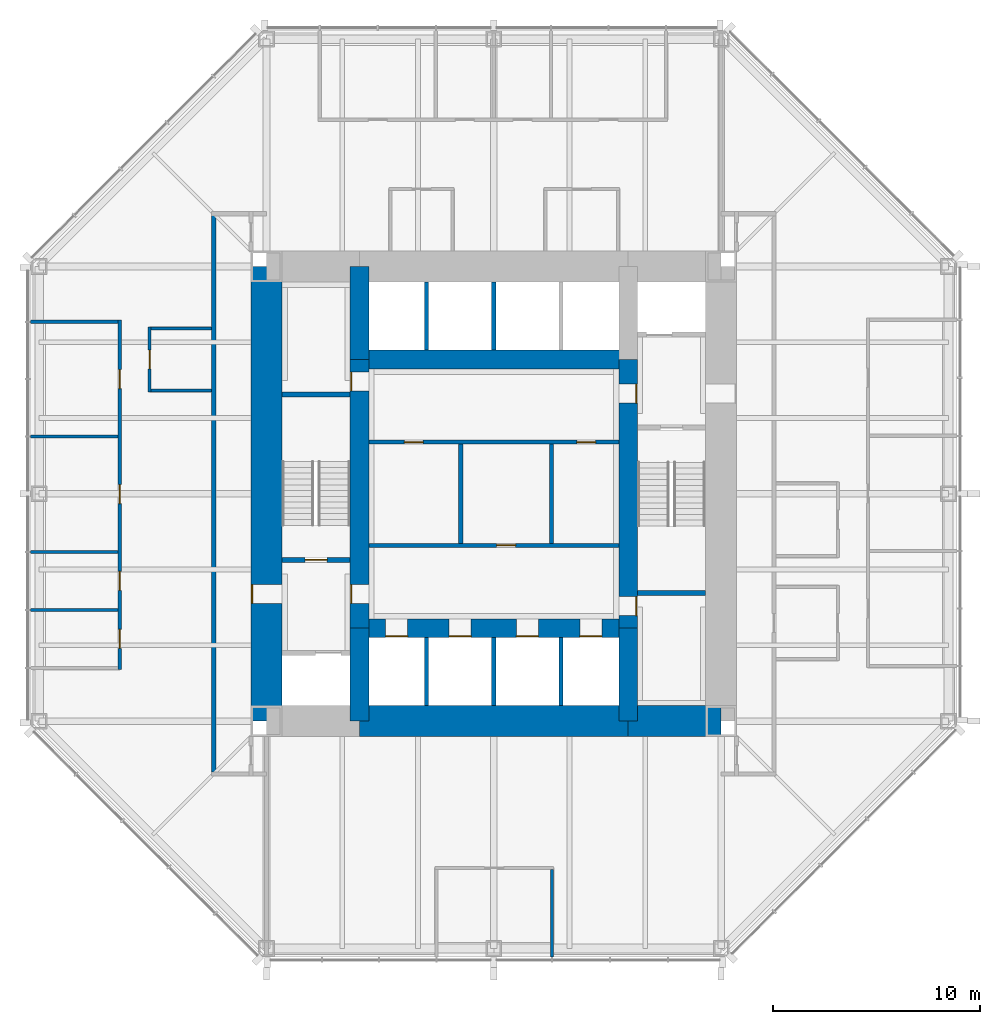
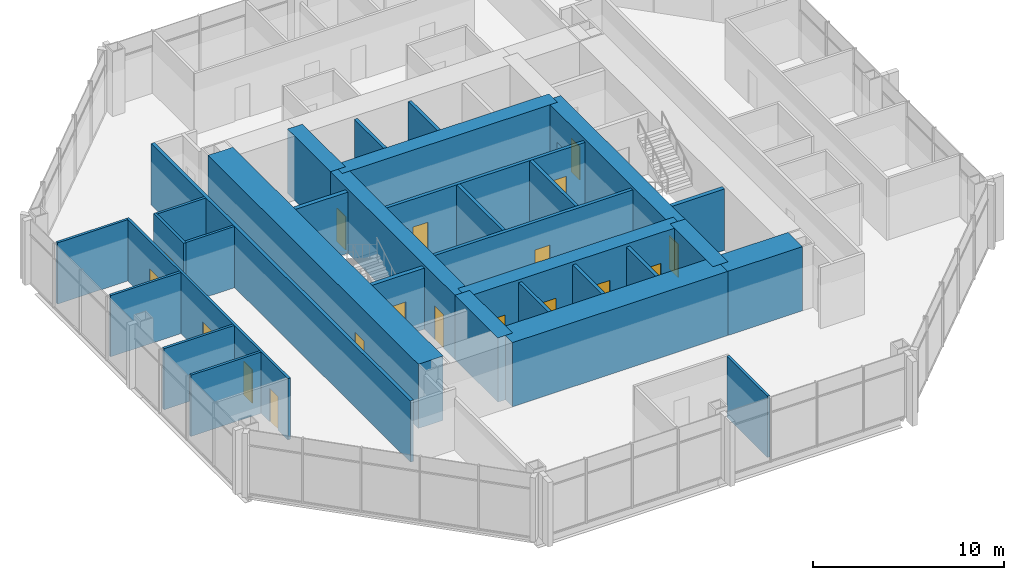
# One storey, part 9 of 12: 32 walls, 18 doors, 18 openings.
"""IFC4 building model written with IfcOpenShell, lengths in metres."""

from ifc_helpers import new_model, si_unit, direction, frame, frame_2d, origin, place, context, subcontext, project, spatial, rectangle, extrude, material, layer, layer_set, type_object, element, fill, save


model = new_model("IFC4")

# Units and contexts
model_context = context("Model", 3, precision=1e-05, world=origin(), true_north=direction((0.0, 1.0)))
body_context = subcontext(model_context, "Body", "Model", "MODEL_VIEW")
ifc_project = project(units=[si_unit("LENGTHUNIT", "METRE"), si_unit("AREAUNIT", "SQUARE_METRE"), si_unit("VOLUMEUNIT", "CUBIC_METRE"), si_unit("PLANEANGLEUNIT", "RADIAN"), si_unit("MASSUNIT", "GRAM", prefix="KILO")], contexts=[model_context])

# Site, building, storey
site_placement = place(None, origin())
site = spatial("IfcSite", under=ifc_project, at=site_placement, CompositionType="ELEMENT")
building_placement = place(site_placement, origin())
building = spatial("IfcBuilding", under=site, at=building_placement, Name="Trevanion Tower", CompositionType="ELEMENT")
storey_placement = place(building_placement, frame((0.0, 0.0, 133.60009765625)))
storey = spatial("IfcBuildingStorey", under=building, at=storey_placement, Name="L31", CompositionType="ELEMENT", Elevation=133.60009765625)

# Wall, opening, door
ifc_material_1 = material(Name="Concrete 10,000 psi", Category="concrete")
ifc_layer_1 = layer(ifc_material_1, 1.5)
ifc_layer_set_1 = layer_set([ifc_layer_1], Name="CW1 core wall 1500")
wall_type_1 = type_object("IfcWallType", Name="CW1 core wall 1500", PredefinedType="SHEAR", material=ifc_layer_set_1)
wall_1_placement = place(storey_placement, frame((-11.0, 11.0, 0.0), z_axis=(0.0, 0.0, 1.0), x_axis=(0.0, -1.0, 0.0)))
wall_1 = element("IfcWall", 1, at=wall_1_placement, inside=storey, type_object=wall_type_1, Name="CW1 CW L31", PredefinedType="SHEAR", context=body_context, shape_type="SweptSolid", body=[
    extrude(rectangle(XDim=22.0, YDim=1.5, at=frame_2d((11.0, 0.0))), origin(), (0.0, 0.0, 1.0), 4.099853515625),
])
opening_1_placement = place(wall_1_placement, frame((15.392578125, 0.0, 0.0)))
opening_1 = element("IfcOpeningElement", 2, at=opening_1_placement, cuts=wall_1, Name="Opening 31-002", PredefinedType="OPENING", context=body_context, shape_type="SweptSolid", body=[
    extrude(rectangle(XDim=0.9150390625, YDim=2.134033203125, at=frame_2d((0.45751953125, 1.06689453125))), frame((0.0, 0.760009765625, 0.0), z_axis=(0.0, -1.0, 0.0), x_axis=(1.0, 0.0, 0.0)), (0.0, 0.0, 1.0), 1.52001953125),
])
ifc_material_2 = material(Name="Hollow metal, fire rated", Category="steel")
door_type_1 = type_object("IfcDoorType", Name="D3 fire lift lobby door", OperationType="SINGLE_SWING_RIGHT", PredefinedType="DOOR", material=ifc_material_2)
door_1_placement = place(opening_1_placement, origin())
door_1 = element("IfcDoor", 3, at=door_1_placement, inside=storey, type_object=door_type_1, Name="Door 31-002", OperationType="SINGLE_SWING_RIGHT", OverallHeight=2.134033203125, OverallWidth=0.9150390625, PredefinedType="DOOR", context=body_context, shape_type="SweptSolid", body=[
    extrude(rectangle(XDim=0.9150390625, YDim=2.134033203125, at=frame_2d((0.45751953125, 1.06689453125))), frame((0.0, -0.6748046875, 0.0), z_axis=(0.0, -1.0, 0.0), x_axis=(1.0, 0.0, 0.0)), (0.0, 0.0, 1.0), 0.050048828125),
])
fill(opening_1, door_1)

# Walls
wall_2_placement = place(storey_placement, frame((-6.5, -11.0, 0.0), z_axis=(0.0, 0.0, 1.0), x_axis=(1.0, 0.0, 0.0)))
element("IfcWall", 4, at=wall_2_placement, inside=storey, type_object=wall_type_1, Name="CW1 CS2 L31", PredefinedType="SHEAR", context=body_context, shape_type="SweptSolid", body=[
    extrude(rectangle(XDim=13.0, YDim=1.5, at=frame_2d((6.5, 0.0))), origin(), (0.0, 0.0, 1.0), 4.099853515625),
])
wall_3_placement = place(storey_placement, frame((6.5, -11.0, 0.0), z_axis=(0.0, 0.0, 1.0), x_axis=(1.0, 0.0, 0.0)))
element("IfcWall", 5, at=wall_3_placement, inside=storey, type_object=wall_type_1, Name="CW1 CS3 L31", PredefinedType="SHEAR", context=body_context, shape_type="SweptSolid", body=[
    extrude(rectangle(XDim=4.5, YDim=1.5, at=frame_2d((2.25, 0.0))), origin(), (0.0, 0.0, 1.0), 4.099853515625),
])
ifc_material_3 = material(Name="Concrete 10,000 psi", Category="concrete")
ifc_layer_2 = layer(ifc_material_3, 0.89990234375)
ifc_layer_set_2 = layer_set([ifc_layer_2], Name="CW2 core wall 900")
wall_type_2 = type_object("IfcWallType", Name="CW2 core wall 900", PredefinedType="SHEAR", material=ifc_layer_set_2)
wall_4_placement = place(storey_placement, frame((6.5, -11.0, 0.0), z_axis=(0.0, 0.0, 1.0), x_axis=(0.0, 1.0, 0.0)))
element("IfcWall", 6, at=wall_4_placement, inside=storey, type_object=wall_type_2, Name="CW2 RE1 L31", PredefinedType="SHEAR", context=body_context, shape_type="SweptSolid", body=[
    extrude(rectangle(XDim=4.5, YDim=0.89990234375, at=frame_2d((2.25, 0.0))), origin(), (0.0, 0.0, 1.0), 4.099853515625),
])

# Wall, openings, doors
wall_5_placement = place(storey_placement, frame((6.5, -6.5, 0.0), z_axis=(0.0, 0.0, 1.0), x_axis=(0.0, 1.0, 0.0)))
wall_5 = element("IfcWall", 7, at=wall_5_placement, inside=storey, type_object=wall_type_2, Name="CW2 RE2 L31", PredefinedType="SHEAR", context=body_context, shape_type="SweptSolid", body=[
    extrude(rectangle(XDim=13.0, YDim=0.89990234375, at=frame_2d((6.5, 0.0))), origin(), (0.0, 0.0, 1.0), 4.099853515625),
])
opening_2_placement = place(wall_5_placement, frame((10.892578125, 0.0, 0.0)))
opening_2 = element("IfcOpeningElement", 8, at=opening_2_placement, cuts=wall_5, Name="Opening 31-003", PredefinedType="OPENING", context=body_context, shape_type="SweptSolid", body=[
    extrude(rectangle(XDim=0.9150390625, YDim=2.134033203125, at=frame_2d((0.45751953125, 1.06689453125))), frame((0.0, 0.4599609375, 0.0), z_axis=(0.0, -1.0, 0.0), x_axis=(1.0, 0.0, 0.0)), (0.0, 0.0, 1.0), 0.919921875),
])
opening_3_placement = place(wall_5_placement, frame((0.610107421875, 0.0, 0.0)))
opening_3 = element("IfcOpeningElement", 9, at=opening_3_placement, cuts=wall_5, Name="Opening 31-009", PredefinedType="OPENING", context=body_context, shape_type="SweptSolid", body=[
    extrude(rectangle(XDim=0.9150390625, YDim=2.134033203125, at=frame_2d((0.45751953125, 1.06689453125))), frame((0.0, 0.4599609375, 0.0), z_axis=(0.0, -1.0, 0.0), x_axis=(1.0, 0.0, 0.0)), (0.0, 0.0, 1.0), 0.919921875),
])
door_2_placement = place(opening_2_placement, origin())
door_2 = element("IfcDoor", 10, at=door_2_placement, inside=storey, type_object=door_type_1, Name="Door 31-003", OperationType="SINGLE_SWING_RIGHT", OverallHeight=2.134033203125, OverallWidth=0.9150390625, PredefinedType="DOOR", context=body_context, shape_type="SweptSolid", body=[
    extrude(rectangle(XDim=0.9150390625, YDim=2.134033203125, at=frame_2d((0.45751953125, 1.06689453125))), frame((0.0, -0.375, 0.0), z_axis=(0.0, -1.0, 0.0), x_axis=(1.0, 0.0, 0.0)), (0.0, 0.0, 1.0), 0.050048828125),
])
fill(opening_2, door_2)
ifc_material_4 = material(Name="Hollow metal, fire rated", Category="steel")
door_type_2 = type_object("IfcDoorType", Name="D5 service room door", OperationType="SINGLE_SWING_RIGHT", PredefinedType="DOOR", material=ifc_material_4)
door_3_placement = place(opening_3_placement, origin())
door_3 = element("IfcDoor", 11, at=door_3_placement, inside=storey, type_object=door_type_2, Name="Door 31-009", OperationType="SINGLE_SWING_RIGHT", OverallHeight=2.134033203125, OverallWidth=0.9150390625, PredefinedType="DOOR", context=body_context, shape_type="SweptSolid", body=[
    extrude(rectangle(XDim=0.9150390625, YDim=2.134033203125, at=frame_2d((0.45751953125, 1.06689453125))), frame((0.0, -0.375, 0.0), z_axis=(0.0, -1.0, 0.0), x_axis=(1.0, 0.0, 0.0)), (0.0, 0.0, 1.0), 0.050048828125),
])
fill(opening_3, door_3)

# Wall
wall_6_placement = place(storey_placement, frame((-6.5, 11.0, 0.0), z_axis=(0.0, 0.0, 1.0), x_axis=(0.0, -1.0, 0.0)))
element("IfcWall", 12, at=wall_6_placement, inside=storey, type_object=wall_type_2, Name="CW2 RW1 L31", PredefinedType="SHEAR", context=body_context, shape_type="SweptSolid", body=[
    extrude(rectangle(XDim=4.5, YDim=0.89990234375, at=frame_2d((2.25, 0.0))), origin(), (0.0, 0.0, 1.0), 4.099853515625),
])

# Wall, openings, doors
wall_7_placement = place(storey_placement, frame((-6.5, 6.5, 0.0), z_axis=(0.0, 0.0, 1.0), x_axis=(0.0, -1.0, 0.0)))
wall_7 = element("IfcWall", 13, at=wall_7_placement, inside=storey, type_object=wall_type_2, Name="CW2 RW2 L31", PredefinedType="SHEAR", context=body_context, shape_type="SweptSolid", body=[
    extrude(rectangle(XDim=13.0, YDim=0.89990234375, at=frame_2d((6.5, 0.0))), origin(), (0.0, 0.0, 1.0), 4.099853515625),
])
opening_4_placement = place(wall_7_placement, frame((10.892578125, 0.0, 0.0)))
opening_4 = element("IfcOpeningElement", 14, at=opening_4_placement, cuts=wall_7, Name="Opening 31-004", PredefinedType="OPENING", context=body_context, shape_type="SweptSolid", body=[
    extrude(rectangle(XDim=0.9150390625, YDim=2.134033203125, at=frame_2d((0.45751953125, 1.06689453125))), frame((0.0, 0.4599609375, 0.0), z_axis=(0.0, -1.0, 0.0), x_axis=(1.0, 0.0, 0.0)), (0.0, 0.0, 1.0), 0.919921875),
])
opening_5_placement = place(wall_7_placement, frame((0.610107421875, 0.0, 0.0)))
opening_5 = element("IfcOpeningElement", 15, at=opening_5_placement, cuts=wall_7, Name="Opening 31-010", PredefinedType="OPENING", context=body_context, shape_type="SweptSolid", body=[
    extrude(rectangle(XDim=0.9150390625, YDim=2.134033203125, at=frame_2d((0.45751953125, 1.06689453125))), frame((0.0, 0.4599609375, 0.0), z_axis=(0.0, -1.0, 0.0), x_axis=(1.0, 0.0, 0.0)), (0.0, 0.0, 1.0), 0.919921875),
])
door_4_placement = place(opening_4_placement, origin())
door_4 = element("IfcDoor", 16, at=door_4_placement, inside=storey, type_object=door_type_1, Name="Door 31-004", OperationType="SINGLE_SWING_RIGHT", OverallHeight=2.134033203125, OverallWidth=0.9150390625, PredefinedType="DOOR", context=body_context, shape_type="SweptSolid", body=[
    extrude(rectangle(XDim=0.9150390625, YDim=2.134033203125, at=frame_2d((0.45751953125, 1.06689453125))), frame((0.0, -0.375, 0.0), z_axis=(0.0, -1.0, 0.0), x_axis=(1.0, 0.0, 0.0)), (0.0, 0.0, 1.0), 0.050048828125),
])
fill(opening_4, door_4)
door_5_placement = place(opening_5_placement, origin())
door_5 = element("IfcDoor", 17, at=door_5_placement, inside=storey, type_object=door_type_2, Name="Door 31-010", OperationType="SINGLE_SWING_RIGHT", OverallHeight=2.134033203125, OverallWidth=0.9150390625, PredefinedType="DOOR", context=body_context, shape_type="SweptSolid", body=[
    extrude(rectangle(XDim=0.9150390625, YDim=2.134033203125, at=frame_2d((0.45751953125, 1.06689453125))), frame((0.0, -0.375, 0.0), z_axis=(0.0, -1.0, 0.0), x_axis=(1.0, 0.0, 0.0)), (0.0, 0.0, 1.0), 0.050048828125),
])
fill(opening_5, door_5)

# Walls
wall_8_placement = place(storey_placement, frame((-6.5, -6.5, 0.0), z_axis=(0.0, 0.0, 1.0), x_axis=(0.0, -1.0, 0.0)))
element("IfcWall", 18, at=wall_8_placement, inside=storey, type_object=wall_type_2, Name="CW2 RW3 L31", PredefinedType="SHEAR", context=body_context, shape_type="SweptSolid", body=[
    extrude(rectangle(XDim=4.5, YDim=0.89990234375, at=frame_2d((2.25, 0.0))), origin(), (0.0, 0.0, 1.0), 4.099853515625),
])
wall_9_placement = place(storey_placement, frame((6.5, 6.5, 0.0), z_axis=(0.0, 0.0, 1.0), x_axis=(-1.0, 0.0, 0.0)))
element("IfcWall", 19, at=wall_9_placement, inside=storey, type_object=wall_type_2, Name="CW2 RN L31", PredefinedType="SHEAR", context=body_context, shape_type="SweptSolid", body=[
    extrude(rectangle(XDim=13.0, YDim=0.89990234375, at=frame_2d((6.5, 0.0))), origin(), (0.0, 0.0, 1.0), 4.099853515625),
])

# Wall, openings, doors
wall_10_placement = place(storey_placement, frame((-6.5, -6.5, 0.0), z_axis=(0.0, 0.0, 1.0), x_axis=(1.0, 0.0, 0.0)))
wall_10 = element("IfcWall", 20, at=wall_10_placement, inside=storey, type_object=wall_type_2, Name="CW2 RS L31", PredefinedType="SHEAR", context=body_context, shape_type="SweptSolid", body=[
    extrude(rectangle(XDim=13.0, YDim=0.89990234375, at=frame_2d((6.5, 0.0))), origin(), (0.0, 0.0, 1.0), 4.099853515625),
])
opening_6_placement = place(wall_10_placement, frame((1.2666015625, 0.0, 0.0)))
opening_6 = element("IfcOpeningElement", 21, at=opening_6_placement, cuts=wall_10, Name="Opening 31-011", PredefinedType="OPENING", context=body_context, shape_type="SweptSolid", body=[
    extrude(rectangle(XDim=1.06689453125, YDim=2.134033203125, at=frame_2d((0.533447265625, 1.06689453125))), frame((0.0, 0.4599609375, 0.0), z_axis=(0.0, -1.0, 0.0), x_axis=(1.0, 0.0, 0.0)), (0.0, 0.0, 1.0), 0.919921875),
])
opening_7_placement = place(wall_10_placement, frame((4.341552734375, 0.0, 0.0)))
opening_7 = element("IfcOpeningElement", 22, at=opening_7_placement, cuts=wall_10, Name="Opening 31-012", PredefinedType="OPENING", context=body_context, shape_type="SweptSolid", body=[
    extrude(rectangle(XDim=1.06689453125, YDim=2.134033203125, at=frame_2d((0.533447265625, 1.06689453125))), frame((0.0, 0.4599609375, 0.0), z_axis=(0.0, -1.0, 0.0), x_axis=(1.0, 0.0, 0.0)), (0.0, 0.0, 1.0), 0.919921875),
])
opening_8_placement = place(wall_10_placement, frame((7.591552734375, 0.0, 0.0)))
opening_8 = element("IfcOpeningElement", 23, at=opening_8_placement, cuts=wall_10, Name="Opening 31-013", PredefinedType="OPENING", context=body_context, shape_type="SweptSolid", body=[
    extrude(rectangle(XDim=1.06689453125, YDim=2.134033203125, at=frame_2d((0.533447265625, 1.06689453125))), frame((0.0, 0.4599609375, 0.0), z_axis=(0.0, -1.0, 0.0), x_axis=(1.0, 0.0, 0.0)), (0.0, 0.0, 1.0), 0.919921875),
])
opening_9_placement = place(wall_10_placement, frame((10.66650390625, 0.0, 0.0)))
opening_9 = element("IfcOpeningElement", 24, at=opening_9_placement, cuts=wall_10, Name="Opening 31-014", PredefinedType="OPENING", context=body_context, shape_type="SweptSolid", body=[
    extrude(rectangle(XDim=1.06689453125, YDim=2.134033203125, at=frame_2d((0.533447265625, 1.06689453125))), frame((0.0, 0.4599609375, 0.0), z_axis=(0.0, -1.0, 0.0), x_axis=(1.0, 0.0, 0.0)), (0.0, 0.0, 1.0), 0.919921875),
])
ifc_material_5 = material(Name="Stainless steel, fire rated", Category="steel")
door_type_3 = type_object("IfcDoorType", Name="LD1 lift landing door", OperationType="SLIDING_TO_LEFT", PredefinedType="DOOR", material=ifc_material_5)
door_6_placement = place(opening_6_placement, origin())
door_6 = element("IfcDoor", 25, at=door_6_placement, inside=storey, type_object=door_type_3, Name="Door 31-011", OperationType="SLIDING_TO_LEFT", OverallHeight=2.134033203125, OverallWidth=1.06689453125, PredefinedType="DOOR", context=body_context, shape_type="SweptSolid", body=[
    extrude(rectangle(XDim=1.06689453125, YDim=2.134033203125, at=frame_2d((0.533447265625, 1.06689453125))), frame((0.0, -0.375, 0.0), z_axis=(0.0, -1.0, 0.0), x_axis=(1.0, 0.0, 0.0)), (0.0, 0.0, 1.0), 0.050048828125),
])
fill(opening_6, door_6)
door_7_placement = place(opening_7_placement, origin())
door_7 = element("IfcDoor", 26, at=door_7_placement, inside=storey, type_object=door_type_3, Name="Door 31-012", OperationType="SLIDING_TO_LEFT", OverallHeight=2.134033203125, OverallWidth=1.06689453125, PredefinedType="DOOR", context=body_context, shape_type="SweptSolid", body=[
    extrude(rectangle(XDim=1.06689453125, YDim=2.134033203125, at=frame_2d((0.533447265625, 1.06689453125))), frame((0.0, -0.375, 0.0), z_axis=(0.0, -1.0, 0.0), x_axis=(1.0, 0.0, 0.0)), (0.0, 0.0, 1.0), 0.050048828125),
])
fill(opening_7, door_7)
door_8_placement = place(opening_8_placement, origin())
door_8 = element("IfcDoor", 27, at=door_8_placement, inside=storey, type_object=door_type_3, Name="Door 31-013", OperationType="SLIDING_TO_LEFT", OverallHeight=2.134033203125, OverallWidth=1.06689453125, PredefinedType="DOOR", context=body_context, shape_type="SweptSolid", body=[
    extrude(rectangle(XDim=1.06689453125, YDim=2.134033203125, at=frame_2d((0.533447265625, 1.06689453125))), frame((0.0, -0.375, 0.0), z_axis=(0.0, -1.0, 0.0), x_axis=(1.0, 0.0, 0.0)), (0.0, 0.0, 1.0), 0.050048828125),
])
fill(opening_8, door_8)
door_9_placement = place(opening_9_placement, origin())
door_9 = element("IfcDoor", 28, at=door_9_placement, inside=storey, type_object=door_type_3, Name="Door 31-014", OperationType="SLIDING_TO_LEFT", OverallHeight=2.134033203125, OverallWidth=1.06689453125, PredefinedType="DOOR", context=body_context, shape_type="SweptSolid", body=[
    extrude(rectangle(XDim=1.06689453125, YDim=2.134033203125, at=frame_2d((0.533447265625, 1.06689453125))), frame((0.0, -0.375, 0.0), z_axis=(0.0, -1.0, 0.0), x_axis=(1.0, 0.0, 0.0)), (0.0, 0.0, 1.0), 0.050048828125),
])
fill(opening_9, door_9)

ifc_material_6 = material(Name="Gypsum board on steel studs", Category="steel")
ifc_layer_3 = layer(ifc_material_6, 0.14990234375)
ifc_layer_set_3 = layer_set([ifc_layer_3], Name="PT1 partition 150")
wall_type_3 = type_object("IfcWallType", Name="PT1 partition 150", PredefinedType="PARTITIONING", material=ifc_layer_set_3)
wall_11_placement = place(storey_placement, frame((-18.10009765625, 8.39794921875, 0.0), z_axis=(0.0, 0.0, 1.0), x_axis=(0.0, -1.0, 0.0)))
wall_11 = element("IfcWall", 29, at=wall_11_placement, inside=storey, type_object=wall_type_3, Name="PT1 L31 FC2F", PredefinedType="PARTITIONING", context=body_context, shape_type="SweptSolid", body=[
    extrude(rectangle(XDim=16.89404296875, YDim=0.14990234375, at=frame_2d((8.447021484375, 0.0))), origin(), (0.0, 0.0, 1.0), 3.909912109375),
])
opening_10_placement = place(wall_11_placement, frame((2.3916015625, 0.0, 0.0)))
opening_10 = element("IfcOpeningElement", 30, at=opening_10_placement, cuts=wall_11, Name="Opening 31-029", PredefinedType="OPENING", context=body_context, shape_type="SweptSolid", body=[
    extrude(rectangle(XDim=0.9150390625, YDim=2.134033203125, at=frame_2d((0.45751953125, 1.06689453125))), frame((0.0, 0.0849609375, 0.0), z_axis=(0.0, -1.0, 0.0), x_axis=(1.0, 0.0, 0.0)), (0.0, 0.0, 1.0), 0.169921875),
])
opening_11_placement = place(wall_11_placement, frame((7.95654296875, 0.0, 0.0)))
opening_11 = element("IfcOpeningElement", 31, at=opening_11_placement, cuts=wall_11, Name="Opening 31-030", PredefinedType="OPENING", context=body_context, shape_type="SweptSolid", body=[
    extrude(rectangle(XDim=0.9150390625, YDim=2.134033203125, at=frame_2d((0.45751953125, 1.06689453125))), frame((0.0, 0.0849609375, 0.0), z_axis=(0.0, -1.0, 0.0), x_axis=(1.0, 0.0, 0.0)), (0.0, 0.0, 1.0), 0.169921875),
])
opening_12_placement = place(wall_11_placement, frame((12.15087890625, 0.0, 0.0)))
opening_12 = element("IfcOpeningElement", 32, at=opening_12_placement, cuts=wall_11, Name="Opening 31-031", PredefinedType="OPENING", context=body_context, shape_type="SweptSolid", body=[
    extrude(rectangle(XDim=0.9150390625, YDim=2.134033203125, at=frame_2d((0.45751953125, 1.06689453125))), frame((0.0, 0.0849609375, 0.0), z_axis=(0.0, -1.0, 0.0), x_axis=(1.0, 0.0, 0.0)), (0.0, 0.0, 1.0), 0.169921875),
])
opening_13_placement = place(wall_11_placement, frame((14.9580078125, 0.0, 0.0)))
opening_13 = element("IfcOpeningElement", 33, at=opening_13_placement, cuts=wall_11, Name="Opening 31-032", PredefinedType="OPENING", context=body_context, shape_type="SweptSolid", body=[
    extrude(rectangle(XDim=0.9150390625, YDim=2.134033203125, at=frame_2d((0.45751953125, 1.06689453125))), frame((0.0, 0.0849609375, 0.0), z_axis=(0.0, -1.0, 0.0), x_axis=(1.0, 0.0, 0.0)), (0.0, 0.0, 1.0), 0.169921875),
])
ifc_material_7 = material(Name="Timber veneer, solid core", Category="wood")
door_type_4 = type_object("IfcDoorType", Name="D1 office and meeting room door", OperationType="SINGLE_SWING_LEFT", PredefinedType="DOOR", material=ifc_material_7)
door_10_placement = place(opening_10_placement, origin())
door_10 = element("IfcDoor", 34, at=door_10_placement, inside=storey, type_object=door_type_4, Name="Door 31-029", OperationType="SINGLE_SWING_LEFT", OverallHeight=2.134033203125, OverallWidth=0.9150390625, PredefinedType="DOOR", context=body_context, shape_type="SweptSolid", body=[
    extrude(rectangle(XDim=0.9150390625, YDim=2.134033203125, at=frame_2d((0.45751953125, 1.06689453125))), frame((0.0, 0.02490234375, 0.0), z_axis=(0.0, -1.0, 0.0), x_axis=(1.0, 0.0, 0.0)), (0.0, 0.0, 1.0), 0.050048828125),
])
fill(opening_10, door_10)
door_11_placement = place(opening_11_placement, origin())
door_11 = element("IfcDoor", 35, at=door_11_placement, inside=storey, type_object=door_type_4, Name="Door 31-030", OperationType="SINGLE_SWING_LEFT", OverallHeight=2.134033203125, OverallWidth=0.9150390625, PredefinedType="DOOR", context=body_context, shape_type="SweptSolid", body=[
    extrude(rectangle(XDim=0.9150390625, YDim=2.134033203125, at=frame_2d((0.45751953125, 1.06689453125))), frame((0.0, 0.02490234375, 0.0), z_axis=(0.0, -1.0, 0.0), x_axis=(1.0, 0.0, 0.0)), (0.0, 0.0, 1.0), 0.050048828125),
])
fill(opening_11, door_11)
door_12_placement = place(opening_12_placement, origin())
door_12 = element("IfcDoor", 36, at=door_12_placement, inside=storey, type_object=door_type_4, Name="Door 31-031", OperationType="SINGLE_SWING_LEFT", OverallHeight=2.134033203125, OverallWidth=0.9150390625, PredefinedType="DOOR", context=body_context, shape_type="SweptSolid", body=[
    extrude(rectangle(XDim=0.9150390625, YDim=2.134033203125, at=frame_2d((0.45751953125, 1.06689453125))), frame((0.0, 0.02490234375, 0.0), z_axis=(0.0, -1.0, 0.0), x_axis=(1.0, 0.0, 0.0)), (0.0, 0.0, 1.0), 0.050048828125),
])
fill(opening_12, door_12)
door_13_placement = place(opening_13_placement, origin())
door_13 = element("IfcDoor", 37, at=door_13_placement, inside=storey, type_object=door_type_4, Name="Door 31-032", OperationType="SINGLE_SWING_LEFT", OverallHeight=2.134033203125, OverallWidth=0.9150390625, PredefinedType="DOOR", context=body_context, shape_type="SweptSolid", body=[
    extrude(rectangle(XDim=0.9150390625, YDim=2.134033203125, at=frame_2d((0.45751953125, 1.06689453125))), frame((0.0, 0.02490234375, 0.0), z_axis=(0.0, -1.0, 0.0), x_axis=(1.0, 0.0, 0.0)), (0.0, 0.0, 1.0), 0.050048828125),
])
fill(opening_13, door_13)

# Walls
for number, where, z_axis, x_axis, name in (
    (38, (-18.175048828125, 8.322998046875, 0.0), (0.0, 0.0, 1.0), (-1.0, 0.0, 0.0), "PT1 L31 FC2S0"),
    (39, (-18.175048828125, 2.77490234375, 0.0), (0.0, 0.0, 1.0), (-1.0, 0.0, 0.0), "PT1 L31 FC2S2"),
    (40, (-18.175048828125, -2.806884765625, 0.0), (0.0, 0.0, 1.0), (-1.0, 0.0, 0.0), "PT1 L31 FC2S4"),
    (41, (-18.175048828125, -5.614013671875, 0.0), (0.0, 0.0, 1.0), (-1.0, 0.0, 0.0), "PT1 L31 FC2S5"),
    (42, (2.806884765625, -18.175048828125, 0.0), (0.0, 0.0, 1.0), (0.0, -1.0, 0.0), "PT1 L31 FC3S2"),
):
    element("IfcWall", number, at=place(storey_placement, frame(where, z_axis=z_axis, x_axis=x_axis)), inside=storey, type_object=wall_type_3, Name=name, PredefinedType="PARTITIONING", context=body_context, shape_type="SweptSolid", body=[
        extrude(rectangle(XDim=4.239990234375, YDim=0.14990234375, at=frame_2d((2.1201171875, 0.0))), origin(), (0.0, 0.0, 1.0), 3.909912109375),
    ])

# Wall, opening, door
wall_12_placement = place(storey_placement, frame((-16.64990234375, 8.074951171875, 0.0), z_axis=(0.0, 0.0, 1.0), x_axis=(0.0, -1.0, 0.0)))
wall_12 = element("IfcWall", 43, at=wall_12_placement, inside=storey, type_object=wall_type_3, Name="PT1 L31 IN20F", PredefinedType="PARTITIONING", context=body_context, shape_type="SweptSolid", body=[
    extrude(rectangle(XDim=3.14990234375, YDim=0.14990234375, at=frame_2d((1.574951171875, 0.0))), origin(), (0.0, 0.0, 1.0), 3.909912109375),
])
opening_14_placement = place(wall_12_placement, frame((1.117431640625, 0.0, 0.0)))
opening_14 = element("IfcOpeningElement", 44, at=opening_14_placement, cuts=wall_12, Name="Opening 31-039", PredefinedType="OPENING", context=body_context, shape_type="SweptSolid", body=[
    extrude(rectangle(XDim=0.9150390625, YDim=2.134033203125, at=frame_2d((0.45751953125, 1.06689453125))), frame((0.0, 0.0849609375, 0.0), z_axis=(0.0, -1.0, 0.0), x_axis=(1.0, 0.0, 0.0)), (0.0, 0.0, 1.0), 0.169921875),
])
door_14_placement = place(opening_14_placement, origin())
door_14 = element("IfcDoor", 45, at=door_14_placement, inside=storey, type_object=door_type_4, Name="Door 31-039", OperationType="SINGLE_SWING_LEFT", OverallHeight=2.134033203125, OverallWidth=0.9150390625, PredefinedType="DOOR", context=body_context, shape_type="SweptSolid", body=[
    extrude(rectangle(XDim=0.9150390625, YDim=2.134033203125, at=frame_2d((0.45751953125, 1.06689453125))), frame((0.0, 0.02490234375, 0.0), z_axis=(0.0, -1.0, 0.0), x_axis=(1.0, 0.0, 0.0)), (0.0, 0.0, 1.0), 0.050048828125),
])
fill(opening_14, door_14)

# Walls
for number, where, z_axis, x_axis, name in (
    (46, (-16.574951171875, 8.0, 0.0), (0.0, 0.0, 1.0), (1.0, 0.0, 0.0), "PT1 L31 IN20S0"),
    (47, (-16.574951171875, 5.0, 0.0), (0.0, 0.0, 1.0), (1.0, 0.0, 0.0), "PT1 L31 IN20S1"),
):
    element("IfcWall", number, at=place(storey_placement, frame(where, z_axis=z_axis, x_axis=x_axis)), inside=storey, type_object=wall_type_3, Name=name, PredefinedType="PARTITIONING", context=body_context, shape_type="SweptSolid", body=[
        extrude(rectangle(XDim=2.925048828125, YDim=0.14990234375, at=frame_2d((1.46240234375, 0.0))), origin(), (0.0, 0.0, 1.0), 3.909912109375),
    ])
ifc_material_8 = material(Name="Concrete masonry, grouted", Category="masonry")
ifc_layer_4 = layer(ifc_material_8, 0.199951171875)
ifc_layer_set_4 = layer_set([ifc_layer_4], Name="PT2 partition 200")
wall_type_4 = type_object("IfcWallType", Name="PT2 partition 200", PredefinedType="PARTITIONING", material=ifc_layer_set_4)
for number, where, z_axis, x_axis, name in (
    (48, (-1.60009765625, -2.39990234375, 0.0), (0.0, 0.0, 1.0), (0.0, 1.0, 0.0), "PT2 L31 TP1"),
    (49, (2.800048828125, -2.39990234375, 0.0), (0.0, 0.0, 1.0), (0.0, 1.0, 0.0), "PT2 L31 TP2"),
):
    element("IfcWall", number, at=place(storey_placement, frame(where, z_axis=z_axis, x_axis=x_axis)), inside=storey, type_object=wall_type_4, Name=name, PredefinedType="PARTITIONING", context=body_context, shape_type="SweptSolid", body=[
        extrude(rectangle(XDim=4.7998046875, YDim=0.199951171875, at=frame_2d((2.39990234375, 0.0))), origin(), (0.0, 0.0, 1.0), 3.909912109375),
    ])

# Wall, openings, doors
ifc_material_9 = material(Name="Concrete masonry, grouted", Category="masonry")
ifc_layer_5 = layer(ifc_material_9, 0.199951171875)
ifc_layer_set_5 = layer_set([ifc_layer_5], Name="PT2 partition 200 1 HR")
wall_type_5 = type_object("IfcWallType", Name="PT2 partition 200 1 HR", PredefinedType="PARTITIONING", material=ifc_layer_set_5)
wall_13_placement = place(storey_placement, frame((-6.050048828125, 2.5, 0.0), z_axis=(0.0, 0.0, 1.0), x_axis=(1.0, 0.0, 0.0)))
wall_13 = element("IfcWall", 50, at=wall_13_placement, inside=storey, type_object=wall_type_5, Name="PT2 L31 CP1", PredefinedType="PARTITIONING", context=body_context, shape_type="SweptSolid", body=[
    extrude(rectangle(XDim=12.10009765625, YDim=0.199951171875, at=frame_2d((6.050048828125, 0.0))), origin(), (0.0, 0.0, 1.0), 3.909912109375),
])
opening_15_placement = place(wall_13_placement, frame((1.717529296875, 0.0, 0.0)))
opening_15 = element("IfcOpeningElement", 51, at=opening_15_placement, cuts=wall_13, Name="Opening 31-015", PredefinedType="OPENING", context=body_context, shape_type="SweptSolid", body=[
    extrude(rectangle(XDim=0.9150390625, YDim=2.134033203125, at=frame_2d((0.45751953125, 1.06689453125))), frame((0.0, 0.10986328125, 0.0), z_axis=(0.0, -1.0, 0.0), x_axis=(1.0, 0.0, 0.0)), (0.0, 0.0, 1.0), 0.219970703125),
])
opening_16_placement = place(wall_13_placement, frame((10.0673828125, 0.0, 0.0)))
opening_16 = element("IfcOpeningElement", 52, at=opening_16_placement, cuts=wall_13, Name="Opening 31-017", PredefinedType="OPENING", context=body_context, shape_type="SweptSolid", body=[
    extrude(rectangle(XDim=0.9150390625, YDim=2.134033203125, at=frame_2d((0.45751953125, 1.06689453125))), frame((0.0, 0.10986328125, 0.0), z_axis=(0.0, -1.0, 0.0), x_axis=(1.0, 0.0, 0.0)), (0.0, 0.0, 1.0), 0.219970703125),
])
ifc_material_10 = material(Name="Plastic laminate on fire-rated core", Category="wood")
door_type_5 = type_object("IfcDoorType", Name="D12 toilet door in a one hour wall", OperationType="SINGLE_SWING_LEFT", PredefinedType="DOOR", material=ifc_material_10)
door_15_placement = place(opening_15_placement, origin())
door_15 = element("IfcDoor", 53, at=door_15_placement, inside=storey, type_object=door_type_5, Name="Door 31-015", OperationType="SINGLE_SWING_LEFT", OverallHeight=2.134033203125, OverallWidth=0.9150390625, PredefinedType="DOOR", context=body_context, shape_type="SweptSolid", body=[
    extrude(rectangle(XDim=0.9150390625, YDim=2.134033203125, at=frame_2d((0.45751953125, 1.06689453125))), frame((0.0, 0.02490234375, 0.0), z_axis=(0.0, -1.0, 0.0), x_axis=(1.0, 0.0, 0.0)), (0.0, 0.0, 1.0), 0.050048828125),
])
fill(opening_15, door_15)
door_16_placement = place(opening_16_placement, origin())
door_16 = element("IfcDoor", 54, at=door_16_placement, inside=storey, type_object=door_type_5, Name="Door 31-017", OperationType="SINGLE_SWING_LEFT", OverallHeight=2.134033203125, OverallWidth=0.9150390625, PredefinedType="DOOR", context=body_context, shape_type="SweptSolid", body=[
    extrude(rectangle(XDim=0.9150390625, YDim=2.134033203125, at=frame_2d((0.45751953125, 1.06689453125))), frame((0.0, 0.02490234375, 0.0), z_axis=(0.0, -1.0, 0.0), x_axis=(1.0, 0.0, 0.0)), (0.0, 0.0, 1.0), 0.050048828125),
])
fill(opening_16, door_16)

# Wall, opening, door
wall_14_placement = place(storey_placement, frame((6.050048828125, -2.5, 0.0), z_axis=(0.0, 0.0, 1.0), x_axis=(-1.0, 0.0, 0.0)))
wall_14 = element("IfcWall", 55, at=wall_14_placement, inside=storey, type_object=wall_type_5, Name="PT2 L31 CP2", PredefinedType="PARTITIONING", context=body_context, shape_type="SweptSolid", body=[
    extrude(rectangle(XDim=12.10009765625, YDim=0.199951171875, at=frame_2d((6.050048828125, 0.0))), origin(), (0.0, 0.0, 1.0), 3.909912109375),
])
opening_17_placement = place(wall_14_placement, frame((4.992431640625, 0.0, 0.0)))
opening_17 = element("IfcOpeningElement", 56, at=opening_17_placement, cuts=wall_14, Name="Opening 31-016", PredefinedType="OPENING", context=body_context, shape_type="SweptSolid", body=[
    extrude(rectangle(XDim=0.9150390625, YDim=2.134033203125, at=frame_2d((0.45751953125, 1.06689453125))), frame((0.0, 0.10986328125, 0.0), z_axis=(0.0, -1.0, 0.0), x_axis=(1.0, 0.0, 0.0)), (0.0, 0.0, 1.0), 0.219970703125),
])
door_17_placement = place(opening_17_placement, origin())
door_17 = element("IfcDoor", 57, at=door_17_placement, inside=storey, type_object=door_type_5, Name="Door 31-016", OperationType="SINGLE_SWING_LEFT", OverallHeight=2.134033203125, OverallWidth=0.9150390625, PredefinedType="DOOR", context=body_context, shape_type="SweptSolid", body=[
    extrude(rectangle(XDim=0.9150390625, YDim=2.134033203125, at=frame_2d((0.45751953125, 1.06689453125))), frame((0.0, 0.02490234375, 0.0), z_axis=(0.0, -1.0, 0.0), x_axis=(1.0, 0.0, 0.0)), (0.0, 0.0, 1.0), 0.050048828125),
])
fill(opening_17, door_17)

# Walls
wall_15_placement = place(storey_placement, frame((-13.550048828125, 13.64990234375, 0.0), z_axis=(0.0, 0.0, 1.0), x_axis=(0.0, -1.0, 0.0)))
element("IfcWall", 58, at=wall_15_placement, inside=storey, type_object=wall_type_5, Name="PT2 L31 OC2", PredefinedType="PARTITIONING", context=body_context, shape_type="SweptSolid", body=[
    extrude(rectangle(XDim=27.099853515625, YDim=0.199951171875, at=frame_2d((13.5498046875, 0.0))), origin(), (0.0, 0.0, 1.0), 3.909912109375),
])
ifc_material_11 = material(Name="Concrete masonry, grouted", Category="masonry")
ifc_layer_6 = layer(ifc_material_11, 0.199951171875)
ifc_layer_set_6 = layer_set([ifc_layer_6], Name="PT2 partition 200 2 HR")
wall_type_6 = type_object("IfcWallType", Name="PT2 partition 200 2 HR", PredefinedType="PARTITIONING", material=ifc_layer_set_6)
for number, where, z_axis, x_axis, name in (
    (59, (-3.25, 6.949951171875, 0.0), (0.0, 0.0, 1.0), (0.0, 1.0, 0.0), "PT2 L31 NS0"),
    (60, (0.0, 6.949951171875, 0.0), (0.0, 0.0, 1.0), (0.0, 1.0, 0.0), "PT2 L31 NS1"),
    (61, (-3.25, -10.25, 0.0), (0.0, 0.0, 1.0), (0.0, 1.0, 0.0), "PT2 L31 SS0"),
    (62, (0.0, -10.25, 0.0), (0.0, 0.0, 1.0), (0.0, 1.0, 0.0), "PT2 L31 SS1"),
    (63, (3.25, -10.25, 0.0), (0.0, 0.0, 1.0), (0.0, 1.0, 0.0), "PT2 L31 SS2"),
):
    element("IfcWall", number, at=place(storey_placement, frame(where, z_axis=z_axis, x_axis=x_axis)), inside=storey, type_object=wall_type_6, Name=name, PredefinedType="PARTITIONING", context=body_context, shape_type="SweptSolid", body=[
        extrude(rectangle(XDim=3.300048828125, YDim=0.199951171875, at=frame_2d((1.64990234375, 0.0))), origin(), (0.0, 0.0, 1.0), 3.909912109375),
    ])
ifc_material_12 = material(Name="Reinforced masonry, fully grouted", Category="masonry")
ifc_layer_7 = layer(ifc_material_12, 0.25)
ifc_layer_set_7 = layer_set([ifc_layer_7], Name="SW1 stair shaft wall 250")
wall_type_7 = type_object("IfcWallType", Name="SW1 stair shaft wall 250", PredefinedType="SOLIDWALL", material=ifc_layer_set_7)
for number, where, z_axis, x_axis, name in (
    (64, (6.949951171875, -4.800048828125, 0.0), (0.0, 0.0, 1.0), (1.0, 0.0, 0.0), "SW1 L31 EP1"),
    (65, (-6.949951171875, 4.800048828125, 0.0), (0.0, 0.0, 1.0), (-1.0, 0.0, 0.0), "SW1 L31 WP1"),
):
    element("IfcWall", number, at=place(storey_placement, frame(where, z_axis=z_axis, x_axis=x_axis)), inside=storey, type_object=wall_type_7, Name=name, PredefinedType="SOLIDWALL", context=body_context, shape_type="SweptSolid", body=[
        extrude(rectangle(XDim=3.300048828125, YDim=0.25, at=frame_2d((1.64990234375, 0.0))), origin(), (0.0, 0.0, 1.0), 3.909912109375),
    ])

# Wall, opening, door
wall_16_placement = place(storey_placement, frame((-6.949951171875, -3.199951171875, 0.0), z_axis=(0.0, 0.0, 1.0), x_axis=(-1.0, 0.0, 0.0)))
wall_16 = element("IfcWall", 66, at=wall_16_placement, inside=storey, type_object=wall_type_7, Name="SW1 L31 WP2", PredefinedType="SOLIDWALL", context=body_context, shape_type="SweptSolid", body=[
    extrude(rectangle(XDim=3.300048828125, YDim=0.25, at=frame_2d((1.64990234375, 0.0))), origin(), (0.0, 0.0, 1.0), 3.909912109375),
])
opening_18_placement = place(wall_16_placement, frame((1.116455078125, 0.0, 0.0)))
opening_18 = element("IfcOpeningElement", 67, at=opening_18_placement, cuts=wall_16, Name="Opening 31-006", PredefinedType="OPENING", context=body_context, shape_type="SweptSolid", body=[
    extrude(rectangle(XDim=1.06689453125, YDim=2.134033203125, at=frame_2d((0.533447265625, 1.06689453125))), frame((0.0, 0.135009765625, 0.0), z_axis=(0.0, -1.0, 0.0), x_axis=(1.0, 0.0, 0.0)), (0.0, 0.0, 1.0), 0.27001953125),
])
ifc_material_13 = material(Name="Hollow metal, fire rated", Category="steel")
door_type_6 = type_object("IfcDoorType", Name="D2 exit stair door", OperationType="SINGLE_SWING_LEFT", PredefinedType="DOOR", material=ifc_material_13)
door_18_placement = place(opening_18_placement, origin())
door_18 = element("IfcDoor", 68, at=door_18_placement, inside=storey, type_object=door_type_6, Name="Door 31-006", OperationType="SINGLE_SWING_LEFT", OverallHeight=2.134033203125, OverallWidth=1.06689453125, PredefinedType="DOOR", context=body_context, shape_type="SweptSolid", body=[
    extrude(rectangle(XDim=1.06689453125, YDim=2.134033203125, at=frame_2d((0.533447265625, 1.06689453125))), frame((0.0, 0.02490234375, 0.0), z_axis=(0.0, -1.0, 0.0), x_axis=(1.0, 0.0, 0.0)), (0.0, 0.0, 1.0), 0.050048828125),
])
fill(opening_18, door_18)

save(model, "model.ifc")
